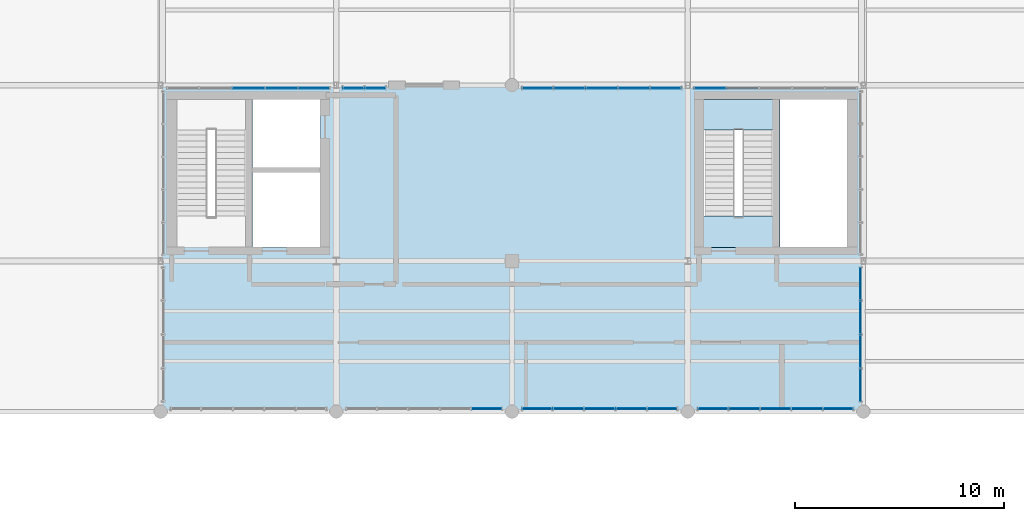
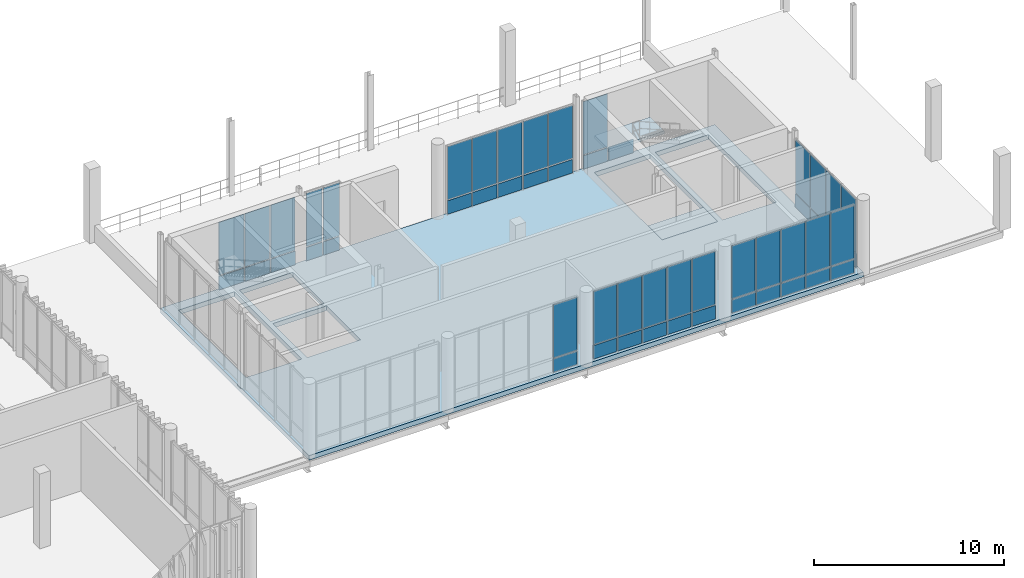
# One storey, part 63 of 81: 53 plates, 3 slabs, 9 elements without a shape of their own.
"""IFC4 building model written with IfcOpenShell, lengths in metres."""

from ifc_helpers import new_model, si_unit, direction, frame, frame_2d, origin_with_axes, place, context, subcontext, project, spatial, polyline, rectangle, outline, extrude, material, layer, layer_set, type_object, element, aggregate, save


model = new_model("IFC4")

# Units and contexts
model_context = context("Model", 3, precision=1e-05, world=origin_with_axes(), true_north=direction((0.0, 1.0)))
body_context = subcontext(model_context, "Body", "Model", "MODEL_VIEW")
ifc_project = project(units=[si_unit("LENGTHUNIT", "METRE"), si_unit("AREAUNIT", "SQUARE_METRE"), si_unit("VOLUMEUNIT", "CUBIC_METRE"), si_unit("PLANEANGLEUNIT", "RADIAN"), si_unit("MASSUNIT", "GRAM", prefix="KILO"), si_unit("THERMODYNAMICTEMPERATUREUNIT", "KELVIN")], contexts=[model_context])

# Site, building, storey
site_placement = place(None, origin_with_axes())
site = spatial("IfcSite", under=ifc_project, at=site_placement, CompositionType="ELEMENT")
building_placement = place(site_placement, origin_with_axes())
building = spatial("IfcBuilding", under=site, at=building_placement, Name="Montbau Bow Law Courts", CompositionType="ELEMENT")
storey_placement = place(building_placement, frame((0.0, 0.0, 24.9), z_axis=(0.0, 0.0, 1.0), x_axis=(1.0, 0.0, 0.0)))
storey = spatial("IfcBuildingStorey", under=building, at=storey_placement, Name="L05", CompositionType="ELEMENT", Elevation=24.9)

# Curtain wall, plate
ifc_material_1 = material(Name="Thermally Broken Extruded Aluminium AA 6063-T6", Category="aluminium")
curtain_wall_type = type_object("IfcCurtainWallType", Name="CW-NCK-02", PredefinedType="NOTDEFINED", material=ifc_material_1)
curtain_wall_1_placement = place(None, frame((64.04, 39.14, 24.9), z_axis=(0.0, 0.0, 1.0), x_axis=(1.0, 0.0, 0.0)))
curtain_wall_1 = element("IfcCurtainWall", 1, at=curtain_wall_1_placement, inside=storey, type_object=curtain_wall_type, Name="CW-L05-212:cw_0212", PredefinedType="NOTDEFINED")
ifc_material_2 = material(Name="Insulated Ceramic-Frit Spandrel Glazing Unit", Category="glass")
ifc_layer_1 = layer(ifc_material_2, 0.056, Name="Curtain Panel", Category="glass")
ifc_layer_set_1 = layer_set([ifc_layer_1], Name="Insulated Ceramic-Frit Spandrel Glazing Unit")
plate_type_1 = type_object("IfcPlateType", Name="PL-CWP-02", PredefinedType="CURTAIN_PANEL", material=ifc_layer_set_1)
plate_1_placement = place(None, frame((70.088, 39.14, 24.962), z_axis=(0.0, -1.0, 0.0), x_axis=(1.0, 0.0, 0.0)))
plate_1 = element("IfcPlate", 2, at=plate_1_placement, type_object=plate_type_1, Name="CW-L05-212-P05-1:cw_0212_P05_1", PredefinedType="CURTAIN_PANEL", context=body_context, shape_type="SweptSolid", body=[
    extrude(rectangle(XDim=1.41, YDim=0.856, at=frame_2d((0.705, 0.428), x_axis=(1.0, 0.0))), frame((0.0, 0.0, -0.028), z_axis=(0.0, 0.0, 1.0), x_axis=(1.0, 0.0, 0.0)), (0.0, 0.0, 1.0), 0.056),
])

# Curtain wall, plates
curtain_wall_2_placement = place(None, frame((72.44, 39.14, 24.9), z_axis=(0.0, 0.0, 1.0), x_axis=(1.0, 0.0, 0.0)))
curtain_wall_2 = element("IfcCurtainWall", 3, at=curtain_wall_2_placement, inside=storey, type_object=curtain_wall_type, Name="CW-L05-213:cw_0213", PredefinedType="NOTDEFINED")
plate_2_placement = place(None, frame((72.516, 39.14, 24.956), z_axis=(0.0, -1.0, 0.0), x_axis=(1.0, 0.0, 0.0)))
plate_2 = element("IfcPlate", 4, at=plate_2_placement, type_object=plate_type_1, Name="CW-L05-213-P01-1:cw_0213_P01_1", PredefinedType="CURTAIN_PANEL", context=body_context, shape_type="SweptSolid", body=[
    extrude(rectangle(XDim=1.388, YDim=0.865, at=frame_2d((0.694, 0.4325), x_axis=(1.0, 0.0))), frame((0.0, 0.0, -0.028), z_axis=(0.0, 0.0, 1.0), x_axis=(1.0, 0.0, 0.0)), (0.0, 0.0, 1.0), 0.056),
])
plate_3_placement = place(None, frame((73.984, 39.14, 24.956), z_axis=(0.0, -1.0, 0.0), x_axis=(1.0, 0.0, 0.0)))
plate_3 = element("IfcPlate", 5, at=plate_3_placement, type_object=plate_type_1, Name="CW-L05-213-P02-1:cw_0213_P02_1", PredefinedType="CURTAIN_PANEL", context=body_context, shape_type="SweptSolid", body=[
    extrude(rectangle(XDim=1.425, YDim=0.865, at=frame_2d((0.7125, 0.4325), x_axis=(1.0, 0.0))), frame((0.0, 0.0, -0.028), z_axis=(0.0, 0.0, 1.0), x_axis=(1.0, 0.0, 0.0)), (0.0, 0.0, 1.0), 0.056),
])
plate_4_placement = place(None, frame((75.487, 39.14, 24.956), z_axis=(0.0, -1.0, 0.0), x_axis=(1.0, 0.0, 0.0)))
plate_4 = element("IfcPlate", 6, at=plate_4_placement, type_object=plate_type_1, Name="CW-L05-213-P03-1:cw_0213_P03_1", PredefinedType="CURTAIN_PANEL", context=body_context, shape_type="SweptSolid", body=[
    extrude(rectangle(XDim=1.426, YDim=0.865, at=frame_2d((0.713, 0.4325), x_axis=(1.0, 0.0))), frame((0.0, 0.0, -0.028), z_axis=(0.0, 0.0, 1.0), x_axis=(1.0, 0.0, 0.0)), (0.0, 0.0, 1.0), 0.056),
])
plate_5_placement = place(None, frame((76.991, 39.14, 24.956), z_axis=(0.0, -1.0, 0.0), x_axis=(1.0, 0.0, 0.0)))
plate_5 = element("IfcPlate", 7, at=plate_5_placement, type_object=plate_type_1, Name="CW-L05-213-P04-1:cw_0213_P04_1", PredefinedType="CURTAIN_PANEL", context=body_context, shape_type="SweptSolid", body=[
    extrude(rectangle(XDim=1.426, YDim=0.865, at=frame_2d((0.713, 0.4325), x_axis=(1.0, 0.0))), frame((0.0, 0.0, -0.028), z_axis=(0.0, 0.0, 1.0), x_axis=(1.0, 0.0, 0.0)), (0.0, 0.0, 1.0), 0.056),
])
plate_6_placement = place(None, frame((78.495, 39.14, 24.956), z_axis=(0.0, -1.0, 0.0), x_axis=(1.0, 0.0, 0.0)))
plate_6 = element("IfcPlate", 8, at=plate_6_placement, type_object=plate_type_1, Name="CW-L05-213-P05-1:cw_0213_P05_1", PredefinedType="CURTAIN_PANEL", context=body_context, shape_type="SweptSolid", body=[
    extrude(rectangle(XDim=1.388, YDim=0.865, at=frame_2d((0.694, 0.4325), x_axis=(1.0, 0.0))), frame((0.0, 0.0, -0.028), z_axis=(0.0, 0.0, 1.0), x_axis=(1.0, 0.0, 0.0)), (0.0, 0.0, 1.0), 0.056),
])

curtain_wall_3_placement = place(None, frame((80.84, 39.14, 24.9), z_axis=(0.0, 0.0, 1.0), x_axis=(1.0, 0.0, 0.0)))
curtain_wall_3 = element("IfcCurtainWall", 9, at=curtain_wall_3_placement, inside=storey, type_object=curtain_wall_type, Name="CW-L05-214:cw_0214", PredefinedType="NOTDEFINED")
plate_7_placement = place(None, frame((80.908, 39.14, 24.962), z_axis=(0.0, -1.0, 0.0), x_axis=(1.0, 0.0, 0.0)))
plate_7 = element("IfcPlate", 10, at=plate_7_placement, type_object=plate_type_1, Name="CW-L05-214-P01-1:cw_0214_P01_1", PredefinedType="CURTAIN_PANEL", context=body_context, shape_type="SweptSolid", body=[
    extrude(rectangle(XDim=1.402, YDim=0.856, at=frame_2d((0.701, 0.428), x_axis=(1.0, 0.0))), frame((0.0, 0.0, -0.028), z_axis=(0.0, 0.0, 1.0), x_axis=(1.0, 0.0, 0.0)), (0.0, 0.0, 1.0), 0.056),
])
plate_8_placement = place(None, frame((82.378, 39.14, 24.962), z_axis=(0.0, -1.0, 0.0), x_axis=(1.0, 0.0, 0.0)))
plate_8 = element("IfcPlate", 11, at=plate_8_placement, type_object=plate_type_1, Name="CW-L05-214-P02-1:cw_0214_P02_1", PredefinedType="CURTAIN_PANEL", context=body_context, shape_type="SweptSolid", body=[
    extrude(rectangle(XDim=1.436, YDim=0.856, at=frame_2d((0.718, 0.428), x_axis=(1.0, 0.0))), frame((0.0, 0.0, -0.028), z_axis=(0.0, 0.0, 1.0), x_axis=(1.0, 0.0, 0.0)), (0.0, 0.0, 1.0), 0.056),
])
plate_9_placement = place(None, frame((83.882, 39.14, 24.962), z_axis=(0.0, -1.0, 0.0), x_axis=(1.0, 0.0, 0.0)))
plate_9 = element("IfcPlate", 12, at=plate_9_placement, type_object=plate_type_1, Name="CW-L05-214-P03-1:cw_0214_P03_1", PredefinedType="CURTAIN_PANEL", context=body_context, shape_type="SweptSolid", body=[
    extrude(rectangle(XDim=1.436, YDim=0.856, at=frame_2d((0.718, 0.428), x_axis=(1.0, 0.0))), frame((0.0, 0.0, -0.028), z_axis=(0.0, 0.0, 1.0), x_axis=(1.0, 0.0, 0.0)), (0.0, 0.0, 1.0), 0.056),
])
plate_10_placement = place(None, frame((85.386, 39.14, 24.962), z_axis=(0.0, -1.0, 0.0), x_axis=(1.0, 0.0, 0.0)))
plate_10 = element("IfcPlate", 13, at=plate_10_placement, type_object=plate_type_1, Name="CW-L05-214-P04-1:cw_0214_P04_1", PredefinedType="CURTAIN_PANEL", context=body_context, shape_type="SweptSolid", body=[
    extrude(rectangle(XDim=1.436, YDim=0.856, at=frame_2d((0.718, 0.428), x_axis=(1.0, 0.0))), frame((0.0, 0.0, -0.028), z_axis=(0.0, 0.0, 1.0), x_axis=(1.0, 0.0, 0.0)), (0.0, 0.0, 1.0), 0.056),
])
plate_11_placement = place(None, frame((86.89, 39.14, 24.962), z_axis=(0.0, -1.0, 0.0), x_axis=(1.0, 0.0, 0.0)))
plate_11 = element("IfcPlate", 14, at=plate_11_placement, type_object=plate_type_1, Name="CW-L05-214-P05-1:cw_0214_P05_1", PredefinedType="CURTAIN_PANEL", context=body_context, shape_type="SweptSolid", body=[
    extrude(rectangle(XDim=1.403, YDim=0.856, at=frame_2d((0.7015, 0.428), x_axis=(1.0, 0.0))), frame((0.0, 0.0, -0.028), z_axis=(0.0, 0.0, 1.0), x_axis=(1.0, 0.0, 0.0)), (0.0, 0.0, 1.0), 0.056),
])

curtain_wall_4_placement = place(None, frame((55.468, 54.46, 24.9), z_axis=(0.0, 0.0, 1.0), x_axis=(1.0, 0.0, 0.0)))
curtain_wall_4 = element("IfcCurtainWall", 15, at=curtain_wall_4_placement, inside=storey, type_object=curtain_wall_type, Name="CW-L05-215:cw_0215", PredefinedType="NOTDEFINED")
plate_12_placement = place(None, frame((58.646, 54.46, 24.956), z_axis=(0.0, -1.0, 0.0), x_axis=(1.0, 0.0, 0.0)))
plate_12 = element("IfcPlate", 16, at=plate_12_placement, type_object=plate_type_1, Name="CW-L05-215-P03-1:cw_0215_P03_1", PredefinedType="CURTAIN_PANEL", context=body_context, shape_type="SweptSolid", body=[
    extrude(rectangle(XDim=1.508, YDim=0.865, at=frame_2d((0.754, 0.4325), x_axis=(1.0, 0.0))), frame((0.0, 0.0, -0.028), z_axis=(0.0, 0.0, 1.0), x_axis=(1.0, 0.0, 0.0)), (0.0, 0.0, 1.0), 0.056),
])
plate_13_placement = place(None, frame((60.218, 54.46, 24.956), z_axis=(0.0, -1.0, 0.0), x_axis=(1.0, 0.0, 0.0)))
plate_13 = element("IfcPlate", 17, at=plate_13_placement, type_object=plate_type_1, Name="CW-L05-215-P04-1:cw_0215_P04_1", PredefinedType="CURTAIN_PANEL", context=body_context, shape_type="SweptSolid", body=[
    extrude(rectangle(XDim=1.509, YDim=0.865, at=frame_2d((0.7545, 0.4325), x_axis=(1.0, 0.0))), frame((0.0, 0.0, -0.028), z_axis=(0.0, 0.0, 1.0), x_axis=(1.0, 0.0, 0.0)), (0.0, 0.0, 1.0), 0.056),
])
plate_14_placement = place(None, frame((61.791, 54.46, 24.956), z_axis=(0.0, -1.0, 0.0), x_axis=(1.0, 0.0, 0.0)))
plate_14 = element("IfcPlate", 18, at=plate_14_placement, type_object=plate_type_1, Name="CW-L05-215-P05-1:cw_0215_P05_1", PredefinedType="CURTAIN_PANEL", context=body_context, shape_type="SweptSolid", body=[
    extrude(rectangle(XDim=1.479, YDim=0.865, at=frame_2d((0.7395, 0.4325), x_axis=(1.0, 0.0))), frame((0.0, 0.0, -0.028), z_axis=(0.0, 0.0, 1.0), x_axis=(1.0, 0.0, 0.0)), (0.0, 0.0, 1.0), 0.056),
])

curtain_wall_5_placement = place(None, frame((63.868, 54.46, 24.9), z_axis=(0.0, 0.0, 1.0), x_axis=(1.0, 0.0, 0.0)))
curtain_wall_5 = element("IfcCurtainWall", 19, at=curtain_wall_5_placement, inside=storey, type_object=curtain_wall_type, Name="CW-L05-216:cw_0216", PredefinedType="NOTDEFINED")
plate_15_placement = place(None, frame((63.944, 54.46, 24.962), z_axis=(0.0, -1.0, 0.0), x_axis=(1.0, 0.0, 0.0)))
plate_15 = element("IfcPlate", 20, at=plate_15_placement, type_object=plate_type_1, Name="CW-L05-216-P01-1:cw_0216_P01_1", PredefinedType="CURTAIN_PANEL", context=body_context, shape_type="SweptSolid", body=[
    extrude(rectangle(XDim=0.96, YDim=0.856, at=frame_2d((0.48, 0.428), x_axis=(1.0, 0.0))), frame((0.0, 0.0, -0.028), z_axis=(0.0, 0.0, 1.0), x_axis=(1.0, 0.0, 0.0)), (0.0, 0.0, 1.0), 0.056),
])
plate_16_placement = place(None, frame((64.984, 54.46, 24.962), z_axis=(0.0, -1.0, 0.0), x_axis=(1.0, 0.0, 0.0)))
plate_16 = element("IfcPlate", 21, at=plate_16_placement, type_object=plate_type_1, Name="CW-L05-216-P02-1:cw_0216_P02_1", PredefinedType="CURTAIN_PANEL", context=body_context, shape_type="SweptSolid", body=[
    extrude(rectangle(XDim=0.959, YDim=0.856, at=frame_2d((0.4795, 0.428), x_axis=(1.0, 0.0))), frame((0.0, 0.0, -0.028), z_axis=(0.0, 0.0, 1.0), x_axis=(1.0, 0.0, 0.0)), (0.0, 0.0, 1.0), 0.056),
])

curtain_wall_6_placement = place(None, frame((72.44, 54.46, 24.9), z_axis=(0.0, 0.0, 1.0), x_axis=(1.0, 0.0, 0.0)))
curtain_wall_6 = element("IfcCurtainWall", 22, at=curtain_wall_6_placement, inside=storey, type_object=curtain_wall_type, Name="CW-L05-217:cw_0217", PredefinedType="NOTDEFINED")
plate_17_placement = place(None, frame((72.508, 54.46, 24.956), z_axis=(0.0, -1.0, 0.0), x_axis=(1.0, 0.0, 0.0)))
plate_17 = element("IfcPlate", 23, at=plate_17_placement, type_object=plate_type_1, Name="CW-L05-217-P01-1:cw_0217_P01_1", PredefinedType="CURTAIN_PANEL", context=body_context, shape_type="SweptSolid", body=[
    extrude(rectangle(XDim=1.436, YDim=0.865, at=frame_2d((0.718, 0.4325), x_axis=(1.0, 0.0))), frame((0.0, 0.0, -0.028), z_axis=(0.0, 0.0, 1.0), x_axis=(1.0, 0.0, 0.0)), (0.0, 0.0, 1.0), 0.056),
])
plate_18_placement = place(None, frame((74.013, 54.46, 24.956), z_axis=(0.0, -1.0, 0.0), x_axis=(1.0, 0.0, 0.0)))
plate_18 = element("IfcPlate", 24, at=plate_18_placement, type_object=plate_type_1, Name="CW-L05-217-P02-1:cw_0217_P02_1", PredefinedType="CURTAIN_PANEL", context=body_context, shape_type="SweptSolid", body=[
    extrude(rectangle(XDim=1.469, YDim=0.865, at=frame_2d((0.7345, 0.4325), x_axis=(1.0, 0.0))), frame((0.0, 0.0, -0.028), z_axis=(0.0, 0.0, 1.0), x_axis=(1.0, 0.0, 0.0)), (0.0, 0.0, 1.0), 0.056),
])
plate_19_placement = place(None, frame((75.551, 54.46, 24.956), z_axis=(0.0, -1.0, 0.0), x_axis=(1.0, 0.0, 0.0)))
plate_19 = element("IfcPlate", 25, at=plate_19_placement, type_object=plate_type_1, Name="CW-L05-217-P03-1:cw_0217_P03_1", PredefinedType="CURTAIN_PANEL", context=body_context, shape_type="SweptSolid", body=[
    extrude(rectangle(XDim=1.471, YDim=0.865, at=frame_2d((0.7355, 0.4325), x_axis=(1.0, 0.0))), frame((0.0, 0.0, -0.028), z_axis=(0.0, 0.0, 1.0), x_axis=(1.0, 0.0, 0.0)), (0.0, 0.0, 1.0), 0.056),
])
plate_20_placement = place(None, frame((77.09, 54.46, 24.956), z_axis=(0.0, -1.0, 0.0), x_axis=(1.0, 0.0, 0.0)))
plate_20 = element("IfcPlate", 26, at=plate_20_placement, type_object=plate_type_1, Name="CW-L05-217-P04-1:cw_0217_P04_1", PredefinedType="CURTAIN_PANEL", context=body_context, shape_type="SweptSolid", body=[
    extrude(rectangle(XDim=1.47, YDim=0.865, at=frame_2d((0.735, 0.4325), x_axis=(1.0, 0.0))), frame((0.0, 0.0, -0.028), z_axis=(0.0, 0.0, 1.0), x_axis=(1.0, 0.0, 0.0)), (0.0, 0.0, 1.0), 0.056),
])
plate_21_placement = place(None, frame((78.628, 54.46, 24.956), z_axis=(0.0, -1.0, 0.0), x_axis=(1.0, 0.0, 0.0)))
plate_21 = element("IfcPlate", 27, at=plate_21_placement, type_object=plate_type_1, Name="CW-L05-217-P05-1:cw_0217_P05_1", PredefinedType="CURTAIN_PANEL", context=body_context, shape_type="SweptSolid", body=[
    extrude(rectangle(XDim=1.438, YDim=0.865, at=frame_2d((0.719, 0.4325), x_axis=(1.0, 0.0))), frame((0.0, 0.0, -0.028), z_axis=(0.0, 0.0, 1.0), x_axis=(1.0, 0.0, 0.0)), (0.0, 0.0, 1.0), 0.056),
])

curtain_wall_7_placement = place(None, frame((80.668, 54.46, 24.9), z_axis=(0.0, 0.0, 1.0), x_axis=(1.0, 0.0, 0.0)))
curtain_wall_7 = element("IfcCurtainWall", 28, at=curtain_wall_7_placement, inside=storey, type_object=curtain_wall_type, Name="CW-L05-218:cw_0218", PredefinedType="NOTDEFINED")
plate_22_placement = place(None, frame((80.73, 54.46, 24.962), z_axis=(0.0, -1.0, 0.0), x_axis=(1.0, 0.0, 0.0)))
plate_22 = element("IfcPlate", 29, at=plate_22_placement, type_object=plate_type_1, Name="CW-L05-218-P01-1:cw_0218_P01_1", PredefinedType="CURTAIN_PANEL", context=body_context, shape_type="SweptSolid", body=[
    extrude(rectangle(XDim=1.479, YDim=0.856, at=frame_2d((0.7395, 0.428), x_axis=(1.0, 0.0))), frame((0.0, 0.0, -0.028), z_axis=(0.0, 0.0, 1.0), x_axis=(1.0, 0.0, 0.0)), (0.0, 0.0, 1.0), 0.056),
])
plate_23_placement = place(None, frame((82.273, 54.46, 24.962), z_axis=(0.0, -1.0, 0.0), x_axis=(1.0, 0.0, 0.0)))
plate_23 = element("IfcPlate", 30, at=plate_23_placement, type_object=plate_type_1, Name="CW-L05-218-P02-1:cw_0218_P02_1", PredefinedType="CURTAIN_PANEL", context=body_context, shape_type="SweptSolid", body=[
    extrude(rectangle(XDim=1.509, YDim=0.856, at=frame_2d((0.7545, 0.428), x_axis=(1.0, 0.0))), frame((0.0, 0.0, -0.028), z_axis=(0.0, 0.0, 1.0), x_axis=(1.0, 0.0, 0.0)), (0.0, 0.0, 1.0), 0.056),
])

curtain_wall_8_placement = place(None, frame((88.66, 39.44, 24.9), z_axis=(0.0, 0.0, 1.0), x_axis=(1.0, 0.0, 0.0)))
curtain_wall_8 = element("IfcCurtainWall", 31, at=curtain_wall_8_placement, inside=storey, type_object=curtain_wall_type, Name="CW-L05-221:cw_0221", PredefinedType="NOTDEFINED")
plate_24_placement = place(None, frame((88.66, 39.502, 24.956), z_axis=(1.0, 0.0, 0.0), x_axis=(0.0, 1.0, 0.0)))
plate_24 = element("IfcPlate", 32, at=plate_24_placement, type_object=plate_type_1, Name="CW-L05-221-P01-1:cw_0221_P01_1", PredefinedType="CURTAIN_PANEL", context=body_context, shape_type="SweptSolid", body=[
    extrude(rectangle(XDim=1.529, YDim=0.865, at=frame_2d((0.7645, 0.4325), x_axis=(1.0, 0.0))), frame((0.0, 0.0, -0.028), z_axis=(0.0, 0.0, 1.0), x_axis=(1.0, 0.0, 0.0)), (0.0, 0.0, 1.0), 0.056),
])
plate_25_placement = place(None, frame((88.66, 41.095, 24.956), z_axis=(1.0, 0.0, 0.0), x_axis=(0.0, 1.0, 0.0)))
plate_25 = element("IfcPlate", 33, at=plate_25_placement, type_object=plate_type_1, Name="CW-L05-221-P02-1:cw_0221_P02_1", PredefinedType="CURTAIN_PANEL", context=body_context, shape_type="SweptSolid", body=[
    extrude(rectangle(XDim=1.559, YDim=0.865, at=frame_2d((0.7795, 0.4325), x_axis=(1.0, 0.0))), frame((0.0, 0.0, -0.028), z_axis=(0.0, 0.0, 1.0), x_axis=(1.0, 0.0, 0.0)), (0.0, 0.0, 1.0), 0.056),
])
plate_26_placement = place(None, frame((88.66, 42.718, 24.956), z_axis=(1.0, 0.0, 0.0), x_axis=(0.0, 1.0, 0.0)))
plate_26 = element("IfcPlate", 34, at=plate_26_placement, type_object=plate_type_1, Name="CW-L05-221-P03-1:cw_0221_P03_1", PredefinedType="CURTAIN_PANEL", context=body_context, shape_type="SweptSolid", body=[
    extrude(rectangle(XDim=1.559, YDim=0.865, at=frame_2d((0.7795, 0.4325), x_axis=(1.0, 0.0))), frame((0.0, 0.0, -0.028), z_axis=(0.0, 0.0, 1.0), x_axis=(1.0, 0.0, 0.0)), (0.0, 0.0, 1.0), 0.056),
])
plate_27_placement = place(None, frame((88.66, 44.341, 24.956), z_axis=(1.0, 0.0, 0.0), x_axis=(0.0, 1.0, 0.0)))
plate_27 = element("IfcPlate", 35, at=plate_27_placement, type_object=plate_type_1, Name="CW-L05-221-P04-1:cw_0221_P04_1", PredefinedType="CURTAIN_PANEL", context=body_context, shape_type="SweptSolid", body=[
    extrude(rectangle(XDim=1.529, YDim=0.865, at=frame_2d((0.7645, 0.4325), x_axis=(1.0, 0.0))), frame((0.0, 0.0, -0.028), z_axis=(0.0, 0.0, 1.0), x_axis=(1.0, 0.0, 0.0)), (0.0, 0.0, 1.0), 0.056),
])

# Plate
ifc_material_3 = material(Name="Triple-Glazed Winter-Garden Vision Unit", Category="glass")
ifc_layer_2 = layer(ifc_material_3, 0.036, Name="Curtain Panel", Category="glass")
ifc_layer_set_2 = layer_set([ifc_layer_2], Name="Triple-Glazed Winter-Garden Vision Unit")
plate_type_2 = type_object("IfcPlateType", Name="PL-CWP-03", PredefinedType="CURTAIN_PANEL", material=ifc_layer_set_2)
plate_28_placement = place(None, frame((70.088, 39.14, 25.882), z_axis=(0.0, -1.0, 0.0), x_axis=(1.0, 0.0, 0.0)))
plate_28 = element("IfcPlate", 36, at=plate_28_placement, type_object=plate_type_2, Name="CW-L05-212-P05-2:cw_0212_P05_2", PredefinedType="CURTAIN_PANEL", context=body_context, shape_type="SweptSolid", body=[
    extrude(rectangle(XDim=1.41, YDim=3.396, at=frame_2d((0.705, 1.698), x_axis=(1.0, 0.0))), frame((0.0, 0.0, -0.018), z_axis=(0.0, 0.0, 1.0), x_axis=(1.0, 0.0, 0.0)), (0.0, 0.0, 1.0), 0.036),
])

aggregate(curtain_wall_1, [plate_1, plate_28])

plate_29_placement = place(None, frame((72.516, 39.14, 25.88), z_axis=(0.0, -1.0, 0.0), x_axis=(1.0, 0.0, 0.0)))
plate_29 = element("IfcPlate", 37, at=plate_29_placement, type_object=plate_type_2, Name="CW-L05-213-P01-2:cw_0213_P01_2", PredefinedType="CURTAIN_PANEL", context=body_context, shape_type="SweptSolid", body=[
    extrude(rectangle(XDim=1.388, YDim=3.403, at=frame_2d((0.694, 1.7015), x_axis=(1.0, 0.0))), frame((0.0, 0.0, -0.018), z_axis=(0.0, 0.0, 1.0), x_axis=(1.0, 0.0, 0.0)), (0.0, 0.0, 1.0), 0.036),
])

plate_30_placement = place(None, frame((73.984, 39.14, 25.88), z_axis=(0.0, -1.0, 0.0), x_axis=(1.0, 0.0, 0.0)))
plate_30 = element("IfcPlate", 38, at=plate_30_placement, type_object=plate_type_2, Name="CW-L05-213-P02-2:cw_0213_P02_2", PredefinedType="CURTAIN_PANEL", context=body_context, shape_type="SweptSolid", body=[
    extrude(rectangle(XDim=1.425, YDim=3.403, at=frame_2d((0.7125, 1.7015), x_axis=(1.0, 0.0))), frame((0.0, 0.0, -0.018), z_axis=(0.0, 0.0, 1.0), x_axis=(1.0, 0.0, 0.0)), (0.0, 0.0, 1.0), 0.036),
])

plate_31_placement = place(None, frame((75.487, 39.14, 25.88), z_axis=(0.0, -1.0, 0.0), x_axis=(1.0, 0.0, 0.0)))
plate_31 = element("IfcPlate", 39, at=plate_31_placement, type_object=plate_type_2, Name="CW-L05-213-P03-2:cw_0213_P03_2", PredefinedType="CURTAIN_PANEL", context=body_context, shape_type="SweptSolid", body=[
    extrude(rectangle(XDim=1.426, YDim=3.403, at=frame_2d((0.713, 1.7015), x_axis=(1.0, 0.0))), frame((0.0, 0.0, -0.018), z_axis=(0.0, 0.0, 1.0), x_axis=(1.0, 0.0, 0.0)), (0.0, 0.0, 1.0), 0.036),
])

plate_32_placement = place(None, frame((76.991, 39.14, 25.88), z_axis=(0.0, -1.0, 0.0), x_axis=(1.0, 0.0, 0.0)))
plate_32 = element("IfcPlate", 40, at=plate_32_placement, type_object=plate_type_2, Name="CW-L05-213-P04-2:cw_0213_P04_2", PredefinedType="CURTAIN_PANEL", context=body_context, shape_type="SweptSolid", body=[
    extrude(rectangle(XDim=1.426, YDim=3.403, at=frame_2d((0.713, 1.7015), x_axis=(1.0, 0.0))), frame((0.0, 0.0, -0.018), z_axis=(0.0, 0.0, 1.0), x_axis=(1.0, 0.0, 0.0)), (0.0, 0.0, 1.0), 0.036),
])

plate_33_placement = place(None, frame((78.495, 39.14, 25.88), z_axis=(0.0, -1.0, 0.0), x_axis=(1.0, 0.0, 0.0)))
plate_33 = element("IfcPlate", 41, at=plate_33_placement, type_object=plate_type_2, Name="CW-L05-213-P05-2:cw_0213_P05_2", PredefinedType="CURTAIN_PANEL", context=body_context, shape_type="SweptSolid", body=[
    extrude(rectangle(XDim=1.388, YDim=3.403, at=frame_2d((0.694, 1.7015), x_axis=(1.0, 0.0))), frame((0.0, 0.0, -0.018), z_axis=(0.0, 0.0, 1.0), x_axis=(1.0, 0.0, 0.0)), (0.0, 0.0, 1.0), 0.036),
])

aggregate(curtain_wall_2, [plate_2, plate_29, plate_3, plate_30, plate_4, plate_31, plate_5, plate_32, plate_6, plate_33])

plate_34_placement = place(None, frame((80.908, 39.14, 25.882), z_axis=(0.0, -1.0, 0.0), x_axis=(1.0, 0.0, 0.0)))
plate_34 = element("IfcPlate", 42, at=plate_34_placement, type_object=plate_type_2, Name="CW-L05-214-P01-2:cw_0214_P01_2", PredefinedType="CURTAIN_PANEL", context=body_context, shape_type="SweptSolid", body=[
    extrude(rectangle(XDim=1.402, YDim=3.396, at=frame_2d((0.701, 1.698), x_axis=(1.0, 0.0))), frame((0.0, 0.0, -0.018), z_axis=(0.0, 0.0, 1.0), x_axis=(1.0, 0.0, 0.0)), (0.0, 0.0, 1.0), 0.036),
])

plate_35_placement = place(None, frame((82.378, 39.14, 25.882), z_axis=(0.0, -1.0, 0.0), x_axis=(1.0, 0.0, 0.0)))
plate_35 = element("IfcPlate", 43, at=plate_35_placement, type_object=plate_type_2, Name="CW-L05-214-P02-2:cw_0214_P02_2", PredefinedType="CURTAIN_PANEL", context=body_context, shape_type="SweptSolid", body=[
    extrude(rectangle(XDim=1.436, YDim=3.396, at=frame_2d((0.718, 1.698), x_axis=(1.0, 0.0))), frame((0.0, 0.0, -0.018), z_axis=(0.0, 0.0, 1.0), x_axis=(1.0, 0.0, 0.0)), (0.0, 0.0, 1.0), 0.036),
])

plate_36_placement = place(None, frame((83.882, 39.14, 25.882), z_axis=(0.0, -1.0, 0.0), x_axis=(1.0, 0.0, 0.0)))
plate_36 = element("IfcPlate", 44, at=plate_36_placement, type_object=plate_type_2, Name="CW-L05-214-P03-2:cw_0214_P03_2", PredefinedType="CURTAIN_PANEL", context=body_context, shape_type="SweptSolid", body=[
    extrude(rectangle(XDim=1.436, YDim=3.396, at=frame_2d((0.718, 1.698), x_axis=(1.0, 0.0))), frame((0.0, 0.0, -0.018), z_axis=(0.0, 0.0, 1.0), x_axis=(1.0, 0.0, 0.0)), (0.0, 0.0, 1.0), 0.036),
])

plate_37_placement = place(None, frame((85.386, 39.14, 25.882), z_axis=(0.0, -1.0, 0.0), x_axis=(1.0, 0.0, 0.0)))
plate_37 = element("IfcPlate", 45, at=plate_37_placement, type_object=plate_type_2, Name="CW-L05-214-P04-2:cw_0214_P04_2", PredefinedType="CURTAIN_PANEL", context=body_context, shape_type="SweptSolid", body=[
    extrude(rectangle(XDim=1.436, YDim=3.396, at=frame_2d((0.718, 1.698), x_axis=(1.0, 0.0))), frame((0.0, 0.0, -0.018), z_axis=(0.0, 0.0, 1.0), x_axis=(1.0, 0.0, 0.0)), (0.0, 0.0, 1.0), 0.036),
])

plate_38_placement = place(None, frame((86.89, 39.14, 25.882), z_axis=(0.0, -1.0, 0.0), x_axis=(1.0, 0.0, 0.0)))
plate_38 = element("IfcPlate", 46, at=plate_38_placement, type_object=plate_type_2, Name="CW-L05-214-P05-2:cw_0214_P05_2", PredefinedType="CURTAIN_PANEL", context=body_context, shape_type="SweptSolid", body=[
    extrude(rectangle(XDim=1.403, YDim=3.396, at=frame_2d((0.7015, 1.698), x_axis=(1.0, 0.0))), frame((0.0, 0.0, -0.018), z_axis=(0.0, 0.0, 1.0), x_axis=(1.0, 0.0, 0.0)), (0.0, 0.0, 1.0), 0.036),
])

aggregate(curtain_wall_3, [plate_7, plate_34, plate_8, plate_35, plate_9, plate_36, plate_10, plate_37, plate_11, plate_38])

plate_39_placement = place(None, frame((58.646, 54.46, 25.88), z_axis=(0.0, -1.0, 0.0), x_axis=(1.0, 0.0, 0.0)))
plate_39 = element("IfcPlate", 47, at=plate_39_placement, type_object=plate_type_2, Name="CW-L05-215-P03-2:cw_0215_P03_2", PredefinedType="CURTAIN_PANEL", context=body_context, shape_type="SweptSolid", body=[
    extrude(rectangle(XDim=1.508, YDim=3.403, at=frame_2d((0.754, 1.7015), x_axis=(1.0, 0.0))), frame((0.0, 0.0, -0.018), z_axis=(0.0, 0.0, 1.0), x_axis=(1.0, 0.0, 0.0)), (0.0, 0.0, 1.0), 0.036),
])

plate_40_placement = place(None, frame((60.218, 54.46, 25.88), z_axis=(0.0, -1.0, 0.0), x_axis=(1.0, 0.0, 0.0)))
plate_40 = element("IfcPlate", 48, at=plate_40_placement, type_object=plate_type_2, Name="CW-L05-215-P04-2:cw_0215_P04_2", PredefinedType="CURTAIN_PANEL", context=body_context, shape_type="SweptSolid", body=[
    extrude(rectangle(XDim=1.509, YDim=3.403, at=frame_2d((0.7545, 1.7015), x_axis=(1.0, 0.0))), frame((0.0, 0.0, -0.018), z_axis=(0.0, 0.0, 1.0), x_axis=(1.0, 0.0, 0.0)), (0.0, 0.0, 1.0), 0.036),
])

plate_41_placement = place(None, frame((61.791, 54.46, 25.88), z_axis=(0.0, -1.0, 0.0), x_axis=(1.0, 0.0, 0.0)))
plate_41 = element("IfcPlate", 49, at=plate_41_placement, type_object=plate_type_2, Name="CW-L05-215-P05-2:cw_0215_P05_2", PredefinedType="CURTAIN_PANEL", context=body_context, shape_type="SweptSolid", body=[
    extrude(rectangle(XDim=1.479, YDim=3.403, at=frame_2d((0.7395, 1.7015), x_axis=(1.0, 0.0))), frame((0.0, 0.0, -0.018), z_axis=(0.0, 0.0, 1.0), x_axis=(1.0, 0.0, 0.0)), (0.0, 0.0, 1.0), 0.036),
])

aggregate(curtain_wall_4, [plate_12, plate_39, plate_13, plate_40, plate_14, plate_41])

plate_42_placement = place(None, frame((63.944, 54.46, 25.882), z_axis=(0.0, -1.0, 0.0), x_axis=(1.0, 0.0, 0.0)))
plate_42 = element("IfcPlate", 50, at=plate_42_placement, type_object=plate_type_2, Name="CW-L05-216-P01-2:cw_0216_P01_2", PredefinedType="CURTAIN_PANEL", context=body_context, shape_type="SweptSolid", body=[
    extrude(rectangle(XDim=0.96, YDim=3.396, at=frame_2d((0.48, 1.698), x_axis=(1.0, 0.0))), frame((0.0, 0.0, -0.018), z_axis=(0.0, 0.0, 1.0), x_axis=(1.0, 0.0, 0.0)), (0.0, 0.0, 1.0), 0.036),
])

plate_43_placement = place(None, frame((64.984, 54.46, 25.882), z_axis=(0.0, -1.0, 0.0), x_axis=(1.0, 0.0, 0.0)))
plate_43 = element("IfcPlate", 51, at=plate_43_placement, type_object=plate_type_2, Name="CW-L05-216-P02-2:cw_0216_P02_2", PredefinedType="CURTAIN_PANEL", context=body_context, shape_type="SweptSolid", body=[
    extrude(rectangle(XDim=0.959, YDim=3.396, at=frame_2d((0.4795, 1.698), x_axis=(1.0, 0.0))), frame((0.0, 0.0, -0.018), z_axis=(0.0, 0.0, 1.0), x_axis=(1.0, 0.0, 0.0)), (0.0, 0.0, 1.0), 0.036),
])

aggregate(curtain_wall_5, [plate_15, plate_42, plate_16, plate_43])

plate_44_placement = place(None, frame((72.508, 54.46, 25.88), z_axis=(0.0, -1.0, 0.0), x_axis=(1.0, 0.0, 0.0)))
plate_44 = element("IfcPlate", 52, at=plate_44_placement, type_object=plate_type_2, Name="CW-L05-217-P01-2:cw_0217_P01_2", PredefinedType="CURTAIN_PANEL", context=body_context, shape_type="SweptSolid", body=[
    extrude(rectangle(XDim=1.436, YDim=3.403, at=frame_2d((0.718, 1.7015), x_axis=(1.0, 0.0))), frame((0.0, 0.0, -0.018), z_axis=(0.0, 0.0, 1.0), x_axis=(1.0, 0.0, 0.0)), (0.0, 0.0, 1.0), 0.036),
])

plate_45_placement = place(None, frame((74.013, 54.46, 25.88), z_axis=(0.0, -1.0, 0.0), x_axis=(1.0, 0.0, 0.0)))
plate_45 = element("IfcPlate", 53, at=plate_45_placement, type_object=plate_type_2, Name="CW-L05-217-P02-2:cw_0217_P02_2", PredefinedType="CURTAIN_PANEL", context=body_context, shape_type="SweptSolid", body=[
    extrude(rectangle(XDim=1.469, YDim=3.403, at=frame_2d((0.7345, 1.7015), x_axis=(1.0, 0.0))), frame((0.0, 0.0, -0.018), z_axis=(0.0, 0.0, 1.0), x_axis=(1.0, 0.0, 0.0)), (0.0, 0.0, 1.0), 0.036),
])

plate_46_placement = place(None, frame((75.551, 54.46, 25.88), z_axis=(0.0, -1.0, 0.0), x_axis=(1.0, 0.0, 0.0)))
plate_46 = element("IfcPlate", 54, at=plate_46_placement, type_object=plate_type_2, Name="CW-L05-217-P03-2:cw_0217_P03_2", PredefinedType="CURTAIN_PANEL", context=body_context, shape_type="SweptSolid", body=[
    extrude(rectangle(XDim=1.471, YDim=3.403, at=frame_2d((0.7355, 1.7015), x_axis=(1.0, 0.0))), frame((0.0, 0.0, -0.018), z_axis=(0.0, 0.0, 1.0), x_axis=(1.0, 0.0, 0.0)), (0.0, 0.0, 1.0), 0.036),
])

plate_47_placement = place(None, frame((77.09, 54.46, 25.88), z_axis=(0.0, -1.0, 0.0), x_axis=(1.0, 0.0, 0.0)))
plate_47 = element("IfcPlate", 55, at=plate_47_placement, type_object=plate_type_2, Name="CW-L05-217-P04-2:cw_0217_P04_2", PredefinedType="CURTAIN_PANEL", context=body_context, shape_type="SweptSolid", body=[
    extrude(rectangle(XDim=1.47, YDim=3.403, at=frame_2d((0.735, 1.7015), x_axis=(1.0, 0.0))), frame((0.0, 0.0, -0.018), z_axis=(0.0, 0.0, 1.0), x_axis=(1.0, 0.0, 0.0)), (0.0, 0.0, 1.0), 0.036),
])

plate_48_placement = place(None, frame((78.628, 54.46, 25.88), z_axis=(0.0, -1.0, 0.0), x_axis=(1.0, 0.0, 0.0)))
plate_48 = element("IfcPlate", 56, at=plate_48_placement, type_object=plate_type_2, Name="CW-L05-217-P05-2:cw_0217_P05_2", PredefinedType="CURTAIN_PANEL", context=body_context, shape_type="SweptSolid", body=[
    extrude(rectangle(XDim=1.438, YDim=3.403, at=frame_2d((0.719, 1.7015), x_axis=(1.0, 0.0))), frame((0.0, 0.0, -0.018), z_axis=(0.0, 0.0, 1.0), x_axis=(1.0, 0.0, 0.0)), (0.0, 0.0, 1.0), 0.036),
])

aggregate(curtain_wall_6, [plate_17, plate_44, plate_18, plate_45, plate_19, plate_46, plate_20, plate_47, plate_21, plate_48])

plate_49_placement = place(None, frame((80.73, 54.46, 25.882), z_axis=(0.0, -1.0, 0.0), x_axis=(1.0, 0.0, 0.0)))
plate_49 = element("IfcPlate", 57, at=plate_49_placement, type_object=plate_type_2, Name="CW-L05-218-P01-2:cw_0218_P01_2", PredefinedType="CURTAIN_PANEL", context=body_context, shape_type="SweptSolid", body=[
    extrude(rectangle(XDim=1.479, YDim=3.396, at=frame_2d((0.7395, 1.698), x_axis=(1.0, 0.0))), frame((0.0, 0.0, -0.018), z_axis=(0.0, 0.0, 1.0), x_axis=(1.0, 0.0, 0.0)), (0.0, 0.0, 1.0), 0.036),
])

aggregate(curtain_wall_7, [plate_22, plate_49, plate_23])

plate_50_placement = place(None, frame((88.66, 39.502, 25.88), z_axis=(1.0, 0.0, 0.0), x_axis=(0.0, 1.0, 0.0)))
plate_50 = element("IfcPlate", 58, at=plate_50_placement, type_object=plate_type_2, Name="CW-L05-221-P01-2:cw_0221_P01_2", PredefinedType="CURTAIN_PANEL", context=body_context, shape_type="SweptSolid", body=[
    extrude(rectangle(XDim=1.529, YDim=3.403, at=frame_2d((0.7645, 1.7015), x_axis=(1.0, 0.0))), frame((0.0, 0.0, -0.018), z_axis=(0.0, 0.0, 1.0), x_axis=(1.0, 0.0, 0.0)), (0.0, 0.0, 1.0), 0.036),
])

plate_51_placement = place(None, frame((88.66, 41.095, 25.88), z_axis=(1.0, 0.0, 0.0), x_axis=(0.0, 1.0, 0.0)))
plate_51 = element("IfcPlate", 59, at=plate_51_placement, type_object=plate_type_2, Name="CW-L05-221-P02-2:cw_0221_P02_2", PredefinedType="CURTAIN_PANEL", context=body_context, shape_type="SweptSolid", body=[
    extrude(rectangle(XDim=1.559, YDim=3.403, at=frame_2d((0.7795, 1.7015), x_axis=(1.0, 0.0))), frame((0.0, 0.0, -0.018), z_axis=(0.0, 0.0, 1.0), x_axis=(1.0, 0.0, 0.0)), (0.0, 0.0, 1.0), 0.036),
])

plate_52_placement = place(None, frame((88.66, 42.718, 25.88), z_axis=(1.0, 0.0, 0.0), x_axis=(0.0, 1.0, 0.0)))
plate_52 = element("IfcPlate", 60, at=plate_52_placement, type_object=plate_type_2, Name="CW-L05-221-P03-2:cw_0221_P03_2", PredefinedType="CURTAIN_PANEL", context=body_context, shape_type="SweptSolid", body=[
    extrude(rectangle(XDim=1.559, YDim=3.403, at=frame_2d((0.7795, 1.7015), x_axis=(1.0, 0.0))), frame((0.0, 0.0, -0.018), z_axis=(0.0, 0.0, 1.0), x_axis=(1.0, 0.0, 0.0)), (0.0, 0.0, 1.0), 0.036),
])

plate_53_placement = place(None, frame((88.66, 44.341, 25.88), z_axis=(1.0, 0.0, 0.0), x_axis=(0.0, 1.0, 0.0)))
plate_53 = element("IfcPlate", 61, at=plate_53_placement, type_object=plate_type_2, Name="CW-L05-221-P04-2:cw_0221_P04_2", PredefinedType="CURTAIN_PANEL", context=body_context, shape_type="SweptSolid", body=[
    extrude(rectangle(XDim=1.529, YDim=3.403, at=frame_2d((0.7645, 1.7015), x_axis=(1.0, 0.0))), frame((0.0, 0.0, -0.018), z_axis=(0.0, 0.0, 1.0), x_axis=(1.0, 0.0, 0.0)), (0.0, 0.0, 1.0), 0.036),
])

aggregate(curtain_wall_8, [plate_24, plate_50, plate_25, plate_51, plate_26, plate_52, plate_27, plate_53])

# Slab
ifc_material_4 = material(Name="Concrete CSA A23.1 f'c 40 MPa", Category="concrete")
ifc_layer_3 = layer(ifc_material_4, 0.3, Name="Floor Slab", Category="concrete")
ifc_layer_set_3 = layer_set([ifc_layer_3], Name="Concrete CSA A23.1 f'c 40 MPa")
slab_type_1 = type_object("IfcSlabType", Name="SL-FLR-06", PredefinedType="FLOOR", material=ifc_layer_set_3)
slab_1_placement = place(None, frame((0.0, 0.0, 24.6), z_axis=(0.0, 0.0, 1.0), x_axis=(1.0, 0.0, 0.0)))
element("IfcSlab", 62, at=slab_1_placement, inside=storey, type_object=slab_type_1, Name="SL-V3-L05:slb_0020", PredefinedType="FLOOR", context=body_context, shape_type="SweptSolid", body=[
    extrude(outline(polyline([(55.2, 39.0), (88.8, 39.0), (88.8, 54.6), (55.2, 54.6), (55.2, 39.0)]), holes=[polyline([(55.92, 46.858), (59.3, 46.858), (59.3, 53.96), (55.92, 53.96), (55.92, 46.858)]), polyline([(59.6, 46.84), (62.85, 46.84), (62.85, 50.422), (59.6, 50.422), (59.6, 46.84)]), polyline([(59.6, 50.662), (62.85, 50.662), (62.85, 53.96), (59.6, 53.96), (59.6, 50.662)]), polyline([(81.12, 46.858), (84.5, 46.858), (84.5, 53.96), (81.12, 53.96), (81.12, 46.858)]), polyline([(84.8, 46.84), (88.05, 46.84), (88.05, 53.96), (84.8, 53.96), (84.8, 46.84)])]), origin_with_axes(), (0.0, 0.0, 1.0), 0.3),
])

# Stair, slabs
stair_type = type_object("IfcStairType", Name="ST-PUB-1800", PredefinedType="HALF_TURN_STAIR", material=ifc_material_4)
stair_placement = place(None, frame((81.93, 48.3, 24.9), z_axis=(0.0, 0.0, 1.0), x_axis=(1.0, 0.0, 0.0)))
stair = element("IfcStair", 63, at=stair_placement, inside=storey, type_object=stair_type, Name="ST-P3-L05:str_0031", PredefinedType="HALF_TURN_STAIR")
ifc_layer_4 = layer(ifc_material_4, 0.18, Name="Landing", Category="concrete")
ifc_layer_set_4 = layer_set([ifc_layer_4], Name="Concrete CSA A23.1 f'c 40 MPa")
slab_type_2 = type_object("IfcSlabType", Name="SL-LND-01", PredefinedType="LANDING", material=ifc_layer_set_4)
slab_2_placement = place(None, frame((0.0, 0.0, 24.72), z_axis=(0.0, 0.0, 1.0), x_axis=(1.0, 0.0, 0.0)))
slab_2 = element("IfcSlab", 64, at=slab_2_placement, type_object=slab_type_2, Name="ST-P3-L05-LB:str_0031_LB", PredefinedType="LANDING", context=body_context, shape_type="SweptSolid", body=[
    extrude(outline(polyline([(81.12, 46.84), (84.5, 46.84), (84.5, 48.34), (81.12, 48.34), (81.12, 46.84)])), origin_with_axes(), (0.0, 0.0, 1.0), 0.18),
])
slab_3_placement = place(None, frame((0.0, 0.0, 27.12), z_axis=(0.0, 0.0, 1.0), x_axis=(1.0, 0.0, 0.0)))
slab_3 = element("IfcSlab", 65, at=slab_3_placement, type_object=slab_type_2, Name="ST-P3-L05-LM:str_0031_LM", PredefinedType="LANDING", context=body_context, shape_type="SweptSolid", body=[
    extrude(outline(polyline([(81.12, 52.46), (84.5, 52.46), (84.5, 53.93), (81.12, 53.93), (81.12, 52.46)])), origin_with_axes(), (0.0, 0.0, 1.0), 0.18),
])
aggregate(stair, [slab_2, slab_3])

save(model, "model.ifc")
